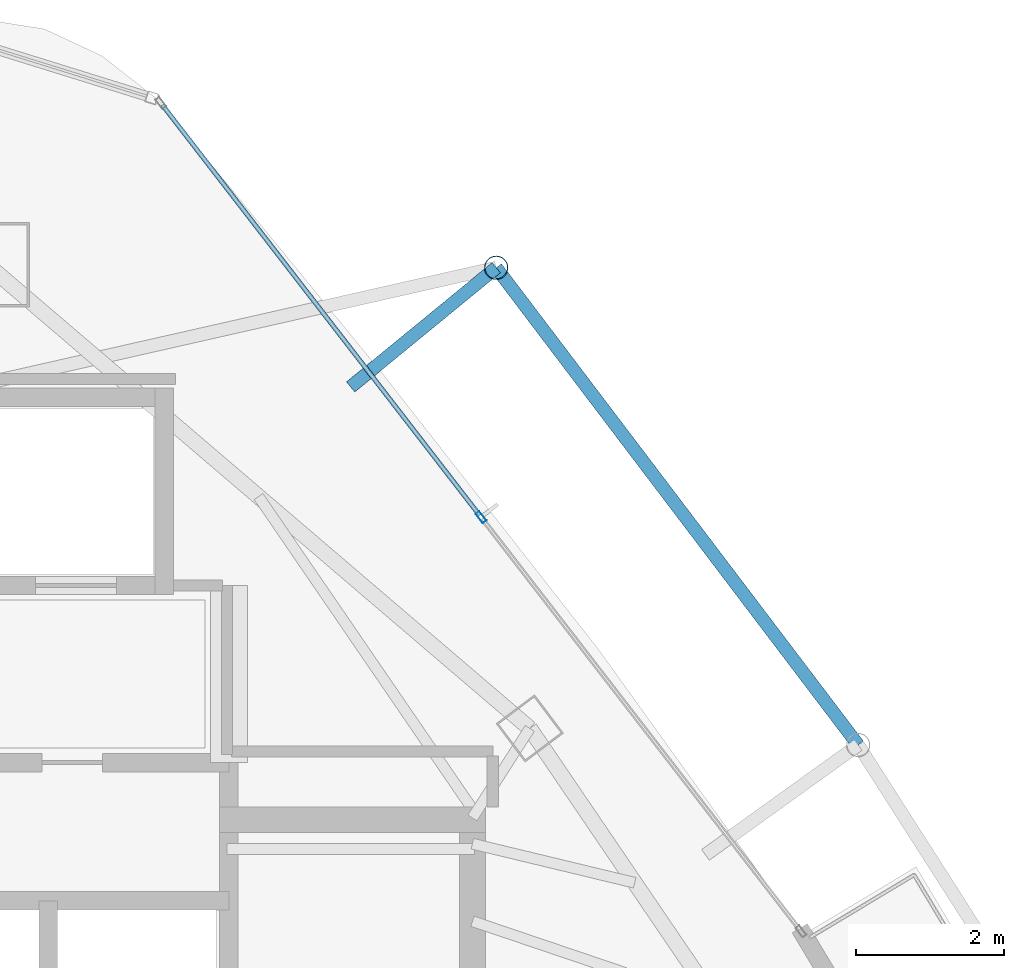
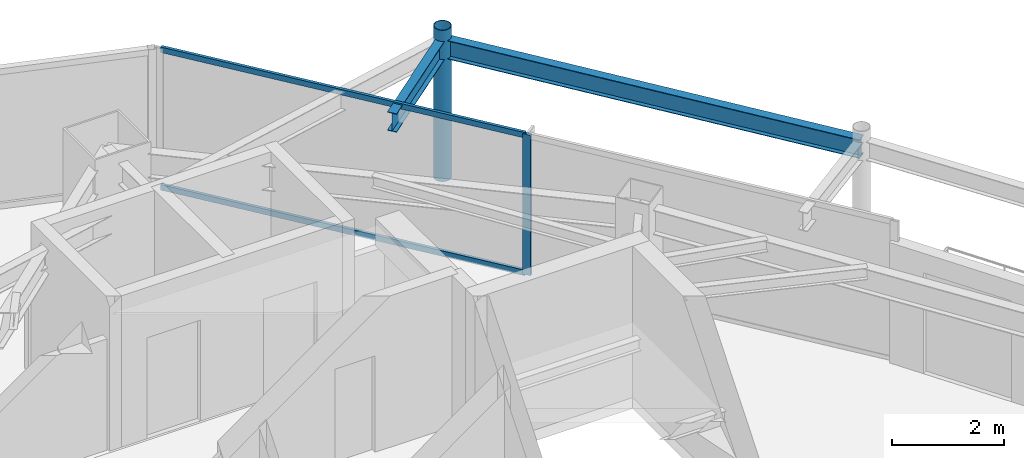
# One storey, part 22 of 28: 4 members, 2 beams, 1 element without a shape of its own.
"""IFC4 building model written with IfcOpenShell, lengths in metres."""

from ifc_helpers import new_model, si_unit, direction, frame, origin, origin_2d, place, context, subcontext, project, spatial, hollow_rectangle, hollow_circle, i_section, extrude, material, layer, layer_set, material_profile, profile_set, type_object, element, aggregate, save


model = new_model("IFC4")

# Units and contexts
model_context = context("Model", 3, precision=1e-05, world=origin(), true_north=direction((0.0, 1.0)))
body_context = subcontext(model_context, "Body", "Model", "MODEL_VIEW")
ifc_project = project(units=[si_unit("LENGTHUNIT", "METRE"), si_unit("AREAUNIT", "SQUARE_METRE"), si_unit("VOLUMEUNIT", "CUBIC_METRE"), si_unit("PLANEANGLEUNIT", "RADIAN"), si_unit("MASSUNIT", "GRAM", prefix="KILO")], contexts=[model_context])

# Site, building, storey
site_placement = place(None, origin())
site = spatial("IfcSite", under=ifc_project, at=site_placement, CompositionType="ELEMENT")
building_placement = place(site_placement, origin())
building = spatial("IfcBuilding", under=site, at=building_placement, Name="Orvanel Arch Residences", CompositionType="ELEMENT")
storey_placement = place(building_placement, frame((0.0, 0.0, 260.14990234375)))
storey = spatial("IfcBuildingStorey", under=building, at=storey_placement, Name="L74", CompositionType="ELEMENT", Elevation=260.14990234375)

# Curtain wall, member
ifc_material_1 = material(Name="Bronze-anodised aluminium AA6063-T6", Category="aluminium")
ifc_layer = layer(ifc_material_1, 0.175048828125)
ifc_layer_set = layer_set([ifc_layer], Name="Bronze-anodised aluminium AA6063-T6")
curtain_wall_type = type_object("IfcCurtainWallType", Name="CW4-HI-SYS", PredefinedType="NOTDEFINED", material=ifc_layer_set)
curtain_wall_placement = place(storey_placement, origin())
curtain_wall = element("IfcCurtainWall", 1, at=curtain_wall_placement, inside=storey, type_object=curtain_wall_type, Name="L74 CW4-HI-SYS Unitised Curtain Wall", PredefinedType="NOTDEFINED")
ifc_material_profile_1 = material_profile(ifc_material_1, hollow_rectangle(XDim=0.06494140625, YDim=0.159912109375, WallThickness=0.00390625, at=origin_2d()), Name="ALU160x65x4")
ifc_profile_set_1 = profile_set([ifc_material_profile_1], Name="Bronze-anodised aluminium AA6063-T6")
member_type_1 = type_object("IfcMemberType", Name="MUL-160x65", PredefinedType="MULLION", material=ifc_profile_set_1)
member_1_placement = place(storey_placement, frame((39.69091796875, 37.97607421875, 0.0), z_axis=(0.0, 0.0, 1.0), x_axis=(-0.791176992709, -0.611587251509, 0.0)))
member_1 = element("IfcMember", 2, at=member_1_placement, type_object=member_type_1, Name="CW-S4 mullion 2", PredefinedType="MULLION", context=body_context, shape_type="SweptSolid", body=[
    extrude(hollow_rectangle(XDim=0.06494140625, YDim=0.159912109375, WallThickness=0.00390625, at=origin_2d()), origin(), (0.0, 0.0, 1.0), 3.06005859375),
])

# Beams
ifc_material_2 = material(Name="Structural steel AS/NZS 3679.1 Grade 300 (300 MPa)", Category="steel")
ifc_material_profile_2 = material_profile(ifc_material_2, i_section(OverallWidth=0.177978515625, OverallDepth=0.406005859375, WebThickness=0.0078125, FlangeThickness=0.0126953125, at=origin_2d()), Name="410UB59.7")
ifc_profile_set_2 = profile_set([ifc_material_profile_2], Name="Structural steel AS/NZS 3679.1 Grade 300 (300 MPa)")
beam_type = type_object("IfcBeamType", Name="OB-410UB-EXT", PredefinedType="SPANDREL", material=ifc_profile_set_2)
beam_1_placement = place(storey_placement, frame((44.802978515625, 34.887939453125, 2.857177734375), z_axis=(-0.604268666107, 0.796780634279, 0.0), x_axis=(-0.796780634279, -0.604268666107, 0.0)))
element("IfcBeam", 3, at=beam_1_placement, inside=storey, type_object=beam_type, Name="L74 Outer Perimeter Floor Ring Beam 11", PredefinedType="SPANDREL", context=body_context, shape_type="SweptSolid", body=[
    extrude(i_section(OverallWidth=0.177978515625, OverallDepth=0.406005859375, WebThickness=0.0078125, FlangeThickness=0.0126953125, at=origin_2d()), origin(), (0.0, 0.0, 1.0), 8.118896484375),
])
beam_2_placement = place(storey_placement, frame((37.924072265625, 39.740966796875, 2.857177734375), z_axis=(0.773615961366, 0.633654751675, 0.0), x_axis=(-0.633654751675, 0.773615961366, 0.0)))
element("IfcBeam", 4, at=beam_2_placement, inside=storey, type_object=beam_type, Name="L74 Outer Frame Radial Tie Beam 12", PredefinedType="SPANDREL", context=body_context, shape_type="SweptSolid", body=[
    extrude(i_section(OverallWidth=0.177978515625, OverallDepth=0.406005859375, WebThickness=0.0078125, FlangeThickness=0.0126953125, at=origin_2d()), origin(), (0.0, 0.0, 1.0), 2.55029296875),
])

# Member
ifc_material_3 = material(Name="Structural steel AS/NZS 1163 C350L0 (Grade 350)", Category="steel")
ifc_material_profile_3 = material_profile(ifc_material_3, hollow_circle(Radius=0.162109375, WallThickness=0.0126953125, at=origin_2d()), Name="CHS324x12.7")
ifc_profile_set_3 = profile_set([ifc_material_profile_3], Name="Structural steel AS/NZS 1163 C350L0 (Grade 350)")
member_type_2 = type_object("IfcMemberType", Name="ST-324CHS-EXT", PredefinedType="STRUT", material=ifc_profile_set_3)
member_2_placement = place(storey_placement, frame((39.89697265625, 41.35693359375, 0.0), z_axis=(0.0, 0.0, 1.0), x_axis=(1.0, 0.0, 0.0)))
element("IfcMember", 5, at=member_2_placement, inside=storey, type_object=member_type_2, Name="L74 Outer Perimeter Frame Post 12", PredefinedType="STRUT", context=body_context, shape_type="SweptSolid", body=[
    extrude(hollow_circle(Radius=0.162109375, WallThickness=0.0126953125, at=origin_2d()), origin(), (0.0, 0.0, 1.0), 3.300048828125),
])

ifc_material_profile_4 = material_profile(ifc_material_1, hollow_rectangle(XDim=0.06005859375, YDim=0.1201171875, WallThickness=0.00341796875, at=origin_2d()), Name="ALU120x60x3.5")
ifc_profile_set_4 = profile_set([ifc_material_profile_4], Name="Bronze-anodised aluminium AA6063-T6")
member_type_3 = type_object("IfcMemberType", Name="TRN-120x60", PredefinedType="USERDEFINED", material=ifc_profile_set_4)
member_3_placement = place(storey_placement, frame((39.671142578125, 38.001708984375, 0.030029296875), z_axis=(-0.611588835985, 0.791175767892, 0.0), x_axis=(-0.791175767892, -0.611588835985, 0.0)))
member_3 = element("IfcMember", 6, at=member_3_placement, type_object=member_type_3, Name="CW-S4 transom 2.1", ObjectType="TRANSOM", PredefinedType="USERDEFINED", context=body_context, shape_type="SweptSolid", body=[
    extrude(hollow_rectangle(XDim=0.06005859375, YDim=0.1201171875, WallThickness=0.00341796875, at=origin_2d()), origin(), (0.0, 0.0, 1.0), 7.02978515625),
])

member_4_placement = place(storey_placement, frame((39.671142578125, 38.001708984375, 3.030029296875), z_axis=(-0.611588835985, 0.791175767892, 0.0), x_axis=(-0.791175767892, -0.611588835985, 0.0)))
member_4 = element("IfcMember", 7, at=member_4_placement, type_object=member_type_3, Name="CW-S4 transom 2.2", ObjectType="TRANSOM", PredefinedType="USERDEFINED", context=body_context, shape_type="SweptSolid", body=[
    extrude(hollow_rectangle(XDim=0.06005859375, YDim=0.1201171875, WallThickness=0.00341796875, at=origin_2d()), origin(), (0.0, 0.0, 1.0), 7.02978515625),
])

aggregate(curtain_wall, [member_1, member_3, member_4])

save(model, "model.ifc")
